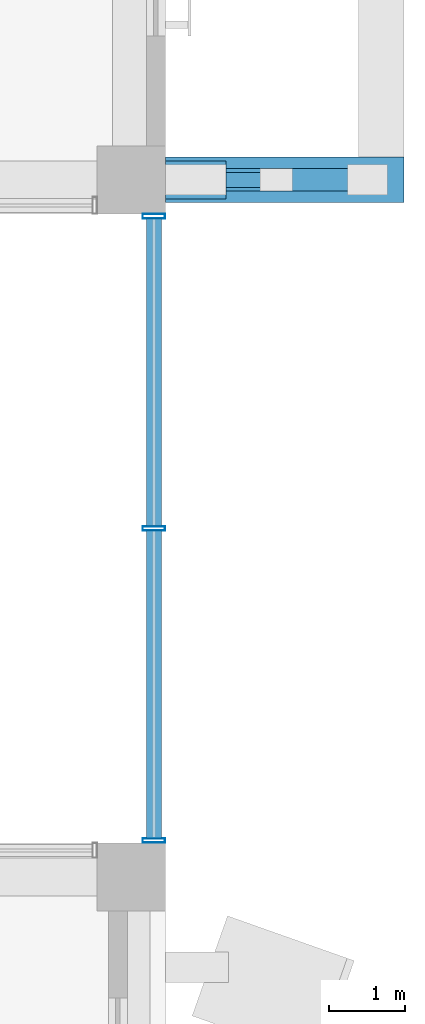
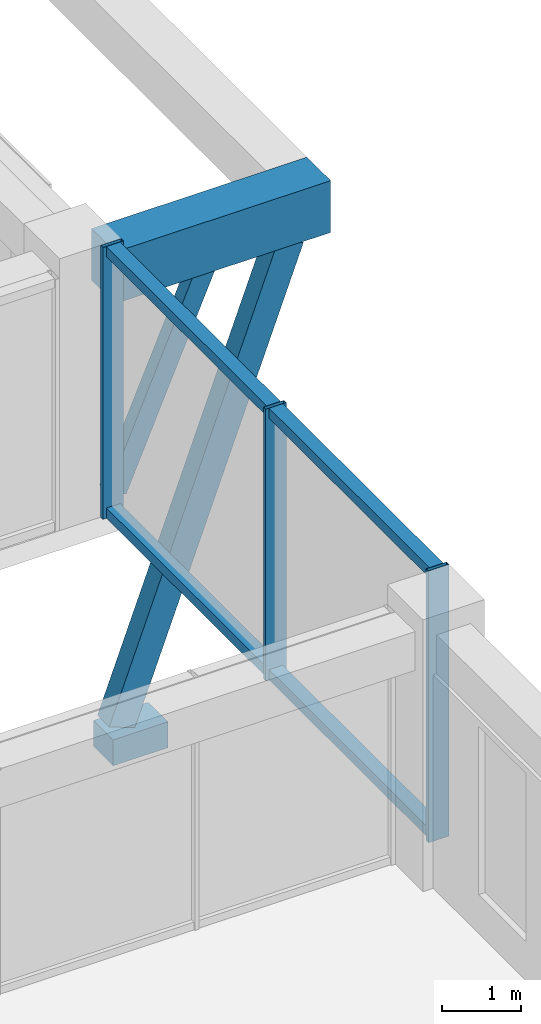
# One storey, part 20 of 38: 9 members, 2 beams, 1 element without a shape of its own.
"""IFC4 building model written with IfcOpenShell, lengths in metres."""

from ifc_helpers import new_model, si_unit, direction, frame, origin, origin_2d, place, context, subcontext, project, spatial, rectangle, hollow_rectangle, extrude, material, layer, layer_set, material_profile, profile_set, type_object, element, aggregate, save


model = new_model("IFC4")

# Units and contexts
model_context = context("Model", 3, precision=1e-05, world=origin(), true_north=direction((0.0, 1.0)))
body_context = subcontext(model_context, "Body", "Model", "MODEL_VIEW")
ifc_project = project(units=[si_unit("LENGTHUNIT", "METRE"), si_unit("AREAUNIT", "SQUARE_METRE"), si_unit("VOLUMEUNIT", "CUBIC_METRE"), si_unit("PLANEANGLEUNIT", "RADIAN"), si_unit("MASSUNIT", "GRAM", prefix="KILO")], contexts=[model_context])

# Site, building, storey
site_placement = place(None, origin())
site = spatial("IfcSite", under=ifc_project, at=site_placement, CompositionType="ELEMENT")
building_placement = place(site_placement, origin())
building = spatial("IfcBuilding", under=site, at=building_placement, Name="Nzadi Deep Aquarium and Research Tower", CompositionType="ELEMENT")
storey_placement = place(building_placement, frame((0.0, 0.0, 48.699951171875)))
storey = spatial("IfcBuildingStorey", under=building, at=storey_placement, Name="L09", CompositionType="ELEMENT", Elevation=48.699951171875)

# Members
ifc_material_1 = material(Name="Steel S355", Category="steel")
ifc_material_profile_1 = material_profile(ifc_material_1, hollow_rectangle(XDim=0.199951171875, YDim=0.300048828125, WallThickness=0.011962890625, at=origin_2d()))
ifc_profile_set_1 = profile_set([ifc_material_profile_1], Name="Steel S355")
member_type_1 = type_object("IfcMemberType", Name="Arm knee strut RHS 300x200x12", PredefinedType="BRACE", material=ifc_profile_set_1)
member_1_placement = place(storey_placement, frame((48.587646484375, 27.60009765625, 0.0), z_axis=(0.396258073649, 0.0, 0.918139171949), x_axis=(0.0, 1.0, 0.0)))
element("IfcMember", 1, at=member_1_placement, inside=storey, type_object=member_type_1, Name="MB-Z1-BE-B1", PredefinedType="BRACE", context=body_context, shape_type="SweptSolid", body=[
    extrude(hollow_rectangle(XDim=0.199951171875, YDim=0.300048828125, WallThickness=0.011962890625, at=origin_2d()), origin(), (0.0, 0.0, 1.0), 3.3115234375),
])
ifc_material_2 = material(Name="Steel S355", Category="steel")
ifc_material_profile_2 = material_profile(ifc_material_2, hollow_rectangle(XDim=0.300048828125, YDim=0.39990234375, WallThickness=0.01611328125, at=origin_2d()))
ifc_profile_set_2 = profile_set([ifc_material_profile_2], Name="Steel S355")
member_type_2 = type_object("IfcMemberType", Name="Arm strut RHS 400x300x16", PredefinedType="BRACE", material=ifc_profile_set_2)
member_2_placement = place(storey_placement, frame((48.637451171875, 27.60009765625, -3.599853515625), z_axis=(0.34817872971, 0.0, 0.937428169076), x_axis=(0.0, 1.0, 0.0)))
element("IfcMember", 2, at=member_2_placement, inside=storey, type_object=member_type_2, Name="MB-Z1-BE-A1", PredefinedType="BRACE", context=body_context, shape_type="SweptSolid", body=[
    extrude(hollow_rectangle(XDim=0.300048828125, YDim=0.39990234375, WallThickness=0.01611328125, at=origin_2d()), origin(), (0.0, 0.0, 1.0), 7.072998046875),
])

# Curtain wall, members
ifc_material_3 = material(Name="Aluminium unitised frame wind post", Category="aluminium")
ifc_layer = layer(ifc_material_3, 0.300048828125)
ifc_layer_set = layer_set([ifc_layer], Name="Aluminium unitised frame wind post")
curtain_wall_type = type_object("IfcCurtainWallType", Name="Curtain wall Slot End 300", PredefinedType="NOTDEFINED", material=ifc_layer_set)
curtain_wall_placement = place(storey_placement, origin())
curtain_wall = element("IfcCurtainWall", 3, at=curtain_wall_placement, inside=storey, type_object=curtain_wall_type, Name="Glazed slot end east L09", PredefinedType="NOTDEFINED")
ifc_material_4 = material(Name="Aluminium unitised frame wind post", Category="aluminium")
ifc_material_profile_3 = material_profile(ifc_material_4, hollow_rectangle(XDim=0.300048828125, YDim=0.06005859375, WallThickness=0.0048828125, at=origin_2d()))
ifc_profile_set_3 = profile_set([ifc_material_profile_3], Name="Aluminium unitised frame wind post")
member_type_3 = type_object("IfcMemberType", Name="Mullion 60x300 Slot End", PredefinedType="MULLION", material=ifc_profile_set_3)
member_3_placement = place(storey_placement, frame((48.300048828125, 18.8798828125, 0.0), z_axis=(0.0, 0.0, 1.0), x_axis=(-1.0, 0.0, 0.0)))
member_3 = element("IfcMember", 4, at=member_3_placement, type_object=member_type_3, Name="CW210 mullion 1", PredefinedType="MULLION", context=body_context, shape_type="SweptSolid", body=[
    extrude(hollow_rectangle(XDim=0.300048828125, YDim=0.06005859375, WallThickness=0.0048828125, at=origin_2d()), origin(), (0.0, 0.0, 1.0), 4.199951171875),
])
member_4_placement = place(storey_placement, frame((48.300048828125, 23.0, 0.0), z_axis=(0.0, 0.0, 1.0), x_axis=(-1.0, 0.0, 0.0)))
member_4 = element("IfcMember", 5, at=member_4_placement, type_object=member_type_3, Name="CW210 mullion 2", PredefinedType="MULLION", context=body_context, shape_type="SweptSolid", body=[
    extrude(hollow_rectangle(XDim=0.300048828125, YDim=0.06005859375, WallThickness=0.0048828125, at=origin_2d()), origin(), (0.0, 0.0, 1.0), 4.199951171875),
])
member_5_placement = place(storey_placement, frame((48.300048828125, 27.1201171875, 0.0), z_axis=(0.0, 0.0, 1.0), x_axis=(-1.0, 0.0, 0.0)))
member_5 = element("IfcMember", 6, at=member_5_placement, type_object=member_type_3, Name="CW210 mullion 3", PredefinedType="MULLION", context=body_context, shape_type="SweptSolid", body=[
    extrude(hollow_rectangle(XDim=0.300048828125, YDim=0.06005859375, WallThickness=0.0048828125, at=origin_2d()), origin(), (0.0, 0.0, 1.0), 4.199951171875),
])

# Beams
ifc_material_5 = material(Name="Concrete C35/45", Category="concrete")
ifc_material_profile_4 = material_profile(ifc_material_5, rectangle(XDim=0.5, YDim=0.39990234375, at=origin_2d()))
ifc_profile_set_4 = profile_set([ifc_material_profile_4], Name="Concrete C35/45")
beam_type_1 = type_object("IfcBeamType", Name="RC 500x400", PredefinedType="BEAM", material=ifc_profile_set_4)
beam_1_placement = place(storey_placement, frame((48.449951171875, 27.60009765625, -3.86962890625), z_axis=(1.0, 0.0, 0.0), x_axis=(0.0, 1.0, 0.0)))
element("IfcBeam", 7, at=beam_1_placement, inside=storey, type_object=beam_type_1, Name="Strut seat corbel", PredefinedType="BEAM", context=body_context, shape_type="SweptSolid", body=[
    extrude(rectangle(XDim=0.5, YDim=0.39990234375, at=origin_2d()), origin(), (0.0, 0.0, 1.0), 0.800048828125),
])
ifc_material_6 = material(Name="Concrete C35/45", Category="concrete")
ifc_material_profile_5 = material_profile(ifc_material_6, rectangle(XDim=0.60009765625, YDim=0.800048828125, at=origin_2d()))
ifc_profile_set_5 = profile_set([ifc_material_profile_5], Name="Concrete C35/45")
beam_type_2 = type_object("IfcBeamType", Name="RC 600x800", PredefinedType="BEAM", material=ifc_profile_set_5)
beam_2_placement = place(storey_placement, frame((48.449951171875, 27.60009765625, 3.5), z_axis=(1.0, 0.0, 0.0), x_axis=(0.0, 1.0, 0.0)))
element("IfcBeam", 8, at=beam_2_placement, inside=storey, type_object=beam_type_2, Name="B-Z1-L09-CANT4", PredefinedType="BEAM", context=body_context, shape_type="SweptSolid", body=[
    extrude(rectangle(XDim=0.60009765625, YDim=0.800048828125, at=origin_2d()), origin(), (0.0, 0.0, 1.0), 3.150146484375),
])

# Member
ifc_material_7 = material(Name="Aluminium unitised frame wind post", Category="aluminium")
ifc_material_profile_6 = material_profile(ifc_material_7, hollow_rectangle(XDim=0.199951171875, YDim=0.159912109375, WallThickness=0.0048828125, at=origin_2d()))
ifc_profile_set_6 = profile_set([ifc_material_profile_6], Name="Aluminium unitised frame wind post")
member_type_4 = type_object("IfcMemberType", Name="Transom 160x200 Slot End", PredefinedType="MULLION", material=ifc_profile_set_6)
member_6_placement = place(storey_placement, frame((48.300048828125, 18.909912109375, 0.080078125), z_axis=(0.0, 1.0, 0.0), x_axis=(-1.0, 0.0, 0.0)))
member_6 = element("IfcMember", 9, at=member_6_placement, type_object=member_type_4, Name="CW210 transom 1.1", PredefinedType="MULLION", context=body_context, shape_type="SweptSolid", body=[
    extrude(hollow_rectangle(XDim=0.199951171875, YDim=0.159912109375, WallThickness=0.0048828125, at=origin_2d()), origin(), (0.0, 0.0, 1.0), 4.06005859375),
])

member_7_placement = place(storey_placement, frame((48.300048828125, 18.909912109375, 4.1201171875), z_axis=(0.0, 1.0, 0.0), x_axis=(-1.0, 0.0, 0.0)))
member_7 = element("IfcMember", 10, at=member_7_placement, type_object=member_type_4, Name="CW210 transom 1.2", PredefinedType="MULLION", context=body_context, shape_type="SweptSolid", body=[
    extrude(hollow_rectangle(XDim=0.199951171875, YDim=0.159912109375, WallThickness=0.0048828125, at=origin_2d()), origin(), (0.0, 0.0, 1.0), 4.06005859375),
])

member_8_placement = place(storey_placement, frame((48.300048828125, 23.030029296875, 0.080078125), z_axis=(0.0, 1.0, 0.0), x_axis=(-1.0, 0.0, 0.0)))
member_8 = element("IfcMember", 11, at=member_8_placement, type_object=member_type_4, Name="CW210 transom 2.1", PredefinedType="MULLION", context=body_context, shape_type="SweptSolid", body=[
    extrude(hollow_rectangle(XDim=0.199951171875, YDim=0.159912109375, WallThickness=0.0048828125, at=origin_2d()), origin(), (0.0, 0.0, 1.0), 4.06005859375),
])

member_9_placement = place(storey_placement, frame((48.300048828125, 23.030029296875, 4.1201171875), z_axis=(0.0, 1.0, 0.0), x_axis=(-1.0, 0.0, 0.0)))
member_9 = element("IfcMember", 12, at=member_9_placement, type_object=member_type_4, Name="CW210 transom 2.2", PredefinedType="MULLION", context=body_context, shape_type="SweptSolid", body=[
    extrude(hollow_rectangle(XDim=0.199951171875, YDim=0.159912109375, WallThickness=0.0048828125, at=origin_2d()), origin(), (0.0, 0.0, 1.0), 4.06005859375),
])

aggregate(curtain_wall, [member_3, member_4, member_5, member_6, member_7, member_8, member_9])

save(model, "model.ifc")
